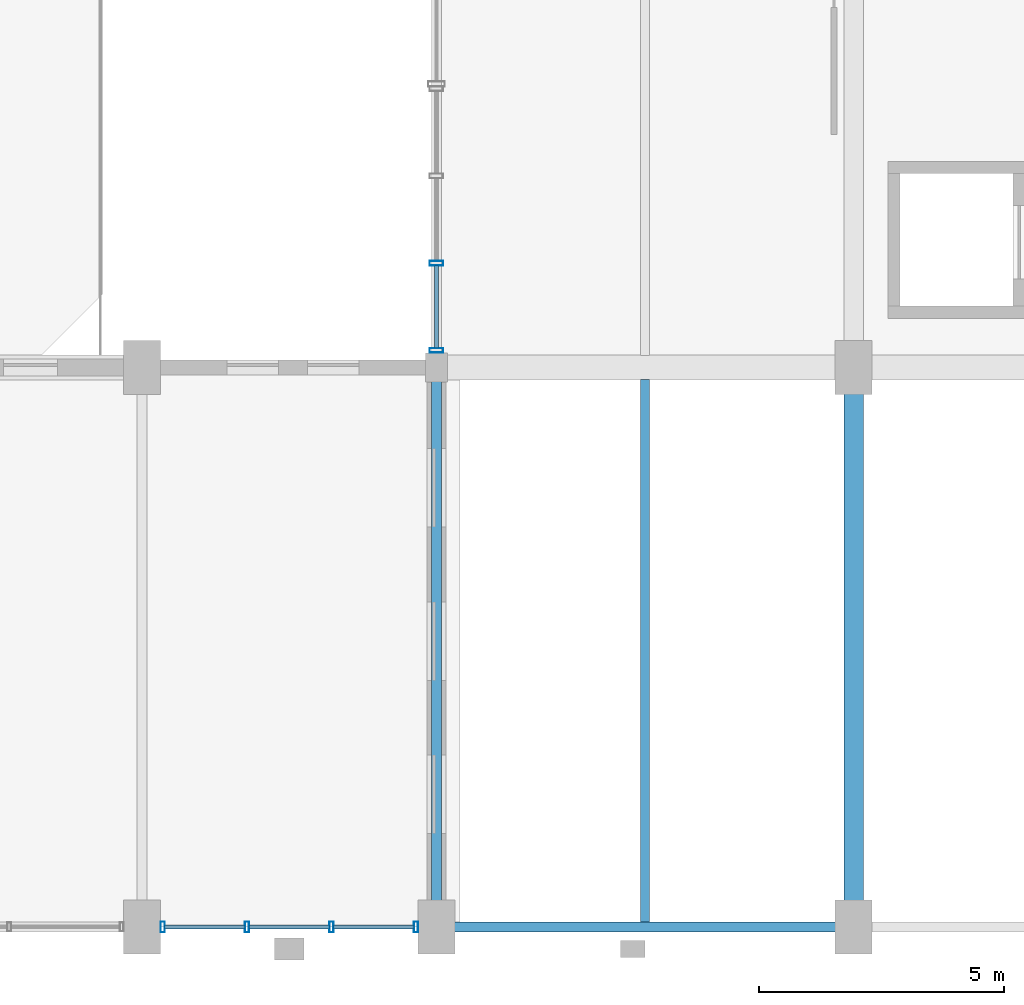
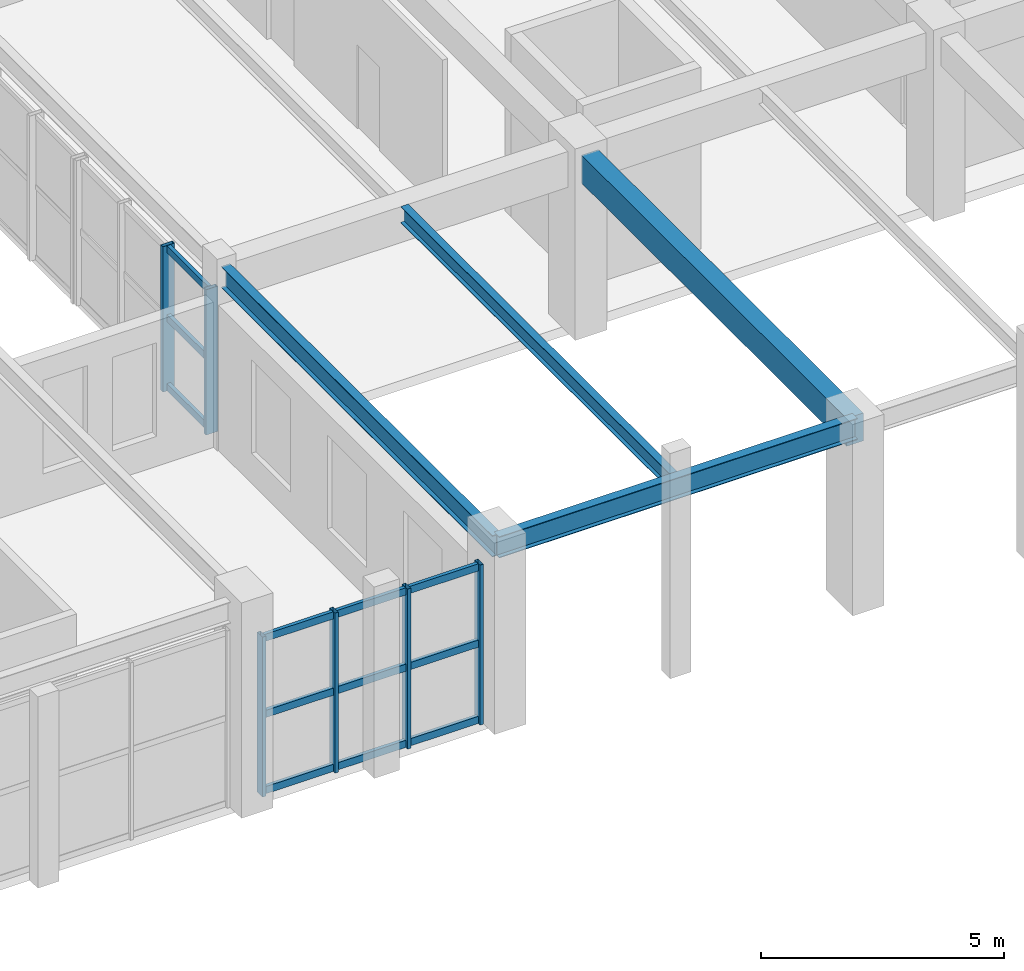
# One storey, part 34 of 106: 18 members, 4 beams, 2 elements without a shape of their own.
"""IFC4 building model written with IfcOpenShell, lengths in metres."""

from ifc_helpers import new_model, si_unit, direction, frame, origin, origin_2d, place, context, subcontext, project, spatial, rectangle, hollow_rectangle, i_section, extrude, material, layer, layer_set, material_profile, profile_set, type_object, element, aggregate, save


model = new_model("IFC4")

# Units and contexts
model_context = context("Model", 3, precision=1e-05, world=origin(), true_north=direction((0.0, 1.0)))
body_context = subcontext(model_context, "Body", "Model", "MODEL_VIEW")
ifc_project = project(units=[si_unit("LENGTHUNIT", "METRE"), si_unit("AREAUNIT", "SQUARE_METRE"), si_unit("VOLUMEUNIT", "CUBIC_METRE"), si_unit("PLANEANGLEUNIT", "RADIAN"), si_unit("MASSUNIT", "GRAM", prefix="KILO"), si_unit("POWERUNIT", "WATT"), si_unit("THERMODYNAMICTEMPERATUREUNIT", "KELVIN")], contexts=[model_context])

# Site, building, storey
site_placement = place(None, origin())
site = spatial("IfcSite", under=ifc_project, at=site_placement, CompositionType="ELEMENT")
building_placement = place(site_placement, origin())
building = spatial("IfcBuilding", under=site, at=building_placement, Name="Kelmbourne Parkland Aquatics Centre", CompositionType="ELEMENT")
storey_placement = place(building_placement, frame((0.0, 0.0, 5.39990234375)))
storey = spatial("IfcBuildingStorey", under=building, at=storey_placement, Name="L01", CompositionType="ELEMENT", Elevation=5.39990234375)

# Beams
ifc_material_1 = material(Name="Concrete C40/50", Category="concrete")
ifc_material_profile_1 = material_profile(ifc_material_1, rectangle(XDim=0.39990234375, YDim=0.699951171875, at=origin_2d()), Name="RC 400x700")
ifc_profile_set_1 = profile_set([ifc_material_profile_1], Name="Concrete C40/50")
beam_type_1 = type_object("IfcBeamType", Name="BM-G05", PredefinedType="BEAM", material=ifc_profile_set_1)
beam_1_placement = place(storey_placement, frame((110.5, 0.800048828125, 4.210205078125), z_axis=(0.0, 1.0, 0.0), x_axis=(-1.0, 0.0, 0.0)))
element("IfcBeam", 1, at=beam_1_placement, inside=storey, type_object=beam_type_1, Name="Primary girder 01-03 Grid N (L02)", PredefinedType="BEAM", context=body_context, shape_type="SweptSolid", body=[
    extrude(rectangle(XDim=0.39990234375, YDim=0.699951171875, at=origin_2d()), origin(), (0.0, 0.0, 1.0), 10.89501953125),
])
ifc_material_2 = material(Name="Structural steel AS/NZS 3679.1 Grade 300", Category="steel")
ifc_material_profile_2 = material_profile(ifc_material_2, i_section(OverallWidth=0.177978515625, OverallDepth=0.406005859375, WebThickness=0.0078125, FlangeThickness=0.0126953125, at=origin_2d()), Name="410UB59.7")
ifc_profile_set_2 = profile_set([ifc_material_profile_2], Name="Structural steel AS/NZS 3679.1 Grade 300")
beam_type_2 = type_object("IfcBeamType", Name="BM-J01", PredefinedType="JOIST", material=ifc_profile_set_2)
beam_2_placement = place(storey_placement, frame((106.25, 0.896484375, 4.357177734375), z_axis=(0.0, 1.0, 0.0), x_axis=(-1.0, 0.0, 0.0)))
element("IfcBeam", 2, at=beam_2_placement, inside=storey, type_object=beam_type_2, Name="Secondary floor joist M-N/01-03 #1 (L02)", PredefinedType="JOIST", context=body_context, shape_type="SweptSolid", body=[
    extrude(i_section(OverallWidth=0.177978515625, OverallDepth=0.406005859375, WebThickness=0.0078125, FlangeThickness=0.0126953125, at=origin_2d()), origin(), (0.0, 0.0, 1.0), 11.0615234375),
])
ifc_material_profile_3 = material_profile(ifc_material_2, i_section(OverallWidth=0.208984375, OverallDepth=0.532958984375, WebThickness=0.01025390625, FlangeThickness=0.015625, at=origin_2d()), Name="530UB92.4")
ifc_profile_set_3 = profile_set([ifc_material_profile_3], Name="Structural steel AS/NZS 3679.1 Grade 300")
beam_type_3 = type_object("IfcBeamType", Name="BM-SP02", PredefinedType="SPANDREL", material=ifc_profile_set_3)
beam_3_placement = place(storey_placement, frame((102.0, 0.800048828125, 4.293701171875), z_axis=(1.0, 0.0, 0.0), x_axis=(0.0, 1.0, 0.0)))
element("IfcBeam", 3, at=beam_3_placement, inside=storey, type_object=beam_type_3, Name="Perimeter spandrel M-N Grid 01 (L02)", PredefinedType="SPANDREL", context=body_context, shape_type="SweptSolid", body=[
    extrude(i_section(OverallWidth=0.208984375, OverallDepth=0.532958984375, WebThickness=0.01025390625, FlangeThickness=0.015625, at=origin_2d()), origin(), (0.0, 0.0, 1.0), 8.5),
])
beam_4_placement = place(storey_placement, frame((102.0, 0.800048828125, 4.293701171875), z_axis=(0.0, 1.0, 0.0), x_axis=(-1.0, 0.0, 0.0)))
element("IfcBeam", 4, at=beam_4_placement, inside=storey, type_object=beam_type_3, Name="Perimeter spandrel 01-03 Grid M (L02)", PredefinedType="SPANDREL", context=body_context, shape_type="SweptSolid", body=[
    extrude(i_section(OverallWidth=0.208984375, OverallDepth=0.532958984375, WebThickness=0.01025390625, FlangeThickness=0.015625, at=origin_2d()), origin(), (0.0, 0.0, 1.0), 11.14501953125),
])

# Curtain wall, members
ifc_material_3 = material(Name="Thermally broken anodised aluminium framing", Category="aluminium")
ifc_layer_1 = layer(ifc_material_3, 0.179931640625)
ifc_layer_set_1 = layer_set([ifc_layer_1], Name="Thermally broken anodised aluminium framing")
curtain_wall_type_1 = type_object("IfcCurtainWallType", Name="CW-23", PredefinedType="NOTDEFINED", material=ifc_layer_set_1)
curtain_wall_1_placement = place(storey_placement, origin())
curtain_wall_1 = element("IfcCurtainWall", 5, at=curtain_wall_1_placement, inside=storey, type_object=curtain_wall_type_1, Name="Facade curtain wall CW-L01-167", PredefinedType="NOTDEFINED")
ifc_material_profile_4 = material_profile(ifc_material_3, hollow_rectangle(XDim=0.0849609375, YDim=0.219970703125, WallThickness=0.0048828125, at=origin_2d()), Name="CW-M 85x220")
ifc_profile_set_4 = profile_set([ifc_material_profile_4], Name="Thermally broken anodised aluminium framing")
member_type_1 = type_object("IfcMemberType", Name="MB-MUL-3", PredefinedType="MULLION", material=ifc_profile_set_4)
member_1_placement = place(storey_placement, frame((96.41943359375, 0.800048828125, 0.0), z_axis=(0.0, 0.0, 1.0), x_axis=(1.0, 0.0, 0.0)))
member_1 = element("IfcMember", 6, at=member_1_placement, type_object=member_type_1, Name="CW-L01-167 mullion 0", PredefinedType="MULLION", context=body_context, shape_type="SweptSolid", body=[
    extrude(hollow_rectangle(XDim=0.0849609375, YDim=0.219970703125, WallThickness=0.0048828125, at=origin_2d()), origin(), (0.0, 0.0, 1.0), 4.01220703125),
])
member_2_placement = place(storey_placement, frame((98.139892578125, 0.800048828125, 0.0), z_axis=(0.0, 0.0, 1.0), x_axis=(1.0, 0.0, 0.0)))
member_2 = element("IfcMember", 7, at=member_2_placement, type_object=member_type_1, Name="CW-L01-167 mullion 1", PredefinedType="MULLION", context=body_context, shape_type="SweptSolid", body=[
    extrude(hollow_rectangle(XDim=0.0849609375, YDim=0.219970703125, WallThickness=0.0048828125, at=origin_2d()), origin(), (0.0, 0.0, 1.0), 4.01220703125),
])
member_3_placement = place(storey_placement, frame((99.860107421875, 0.800048828125, 0.0), z_axis=(0.0, 0.0, 1.0), x_axis=(1.0, 0.0, 0.0)))
member_3 = element("IfcMember", 8, at=member_3_placement, type_object=member_type_1, Name="CW-L01-167 mullion 2", PredefinedType="MULLION", context=body_context, shape_type="SweptSolid", body=[
    extrude(hollow_rectangle(XDim=0.0849609375, YDim=0.219970703125, WallThickness=0.0048828125, at=origin_2d()), origin(), (0.0, 0.0, 1.0), 4.01220703125),
])
member_4_placement = place(storey_placement, frame((101.58056640625, 0.800048828125, 0.0), z_axis=(0.0, 0.0, 1.0), x_axis=(1.0, 0.0, 0.0)))
member_4 = element("IfcMember", 9, at=member_4_placement, type_object=member_type_1, Name="CW-L01-167 mullion 3", PredefinedType="MULLION", context=body_context, shape_type="SweptSolid", body=[
    extrude(hollow_rectangle(XDim=0.0849609375, YDim=0.219970703125, WallThickness=0.0048828125, at=origin_2d()), origin(), (0.0, 0.0, 1.0), 4.01220703125),
])

ifc_layer_2 = layer(ifc_material_3, 0.179931640625)
ifc_layer_set_2 = layer_set([ifc_layer_2], Name="Thermally broken anodised aluminium framing")
curtain_wall_type_2 = type_object("IfcCurtainWallType", Name="CW-20", PredefinedType="NOTDEFINED", material=ifc_layer_set_2)
curtain_wall_2_placement = place(storey_placement, origin())
curtain_wall_2 = element("IfcCurtainWall", 10, at=curtain_wall_2_placement, inside=storey, type_object=curtain_wall_type_2, Name="Facade curtain wall CW-L01-188", PredefinedType="NOTDEFINED")
ifc_material_profile_5 = material_profile(ifc_material_3, hollow_rectangle(XDim=0.094970703125, YDim=0.280029296875, WallThickness=0.005615234375, at=origin_2d()), Name="CW-M 95x280")
ifc_profile_set_5 = profile_set([ifc_material_profile_5], Name="Thermally broken anodised aluminium framing")
member_type_2 = type_object("IfcMemberType", Name="MB-MUL-4", PredefinedType="MULLION", material=ifc_profile_set_5)
member_5_placement = place(storey_placement, frame((102.0, 12.549560546875, 0.0), z_axis=(0.0, 0.0, 1.0), x_axis=(0.0, 1.0, 0.0)))
member_5 = element("IfcMember", 11, at=member_5_placement, type_object=member_type_2, Name="CW-L01-188 mullion 0", PredefinedType="MULLION", context=body_context, shape_type="SweptSolid", body=[
    extrude(hollow_rectangle(XDim=0.094970703125, YDim=0.280029296875, WallThickness=0.005615234375, at=origin_2d()), origin(), (0.0, 0.0, 1.0), 3.64501953125),
])
member_6_placement = place(storey_placement, frame((102.0, 14.325439453125, 0.0), z_axis=(0.0, 0.0, 1.0), x_axis=(0.0, 1.0, 0.0)))
member_6 = element("IfcMember", 12, at=member_6_placement, type_object=member_type_2, Name="CW-L01-188 mullion 1", PredefinedType="MULLION", context=body_context, shape_type="SweptSolid", body=[
    extrude(hollow_rectangle(XDim=0.094970703125, YDim=0.280029296875, WallThickness=0.005615234375, at=origin_2d()), origin(), (0.0, 0.0, 1.0), 3.64501953125),
])

# Member
ifc_material_profile_6 = material_profile(ifc_material_3, hollow_rectangle(XDim=0.0849609375, YDim=0.179931640625, WallThickness=0.00439453125, at=origin_2d()), Name="CW-T 85x180")
ifc_profile_set_6 = profile_set([ifc_material_profile_6], Name="Thermally broken anodised aluminium framing")
member_type_3 = type_object("IfcMemberType", Name="MB-TRN-3", PredefinedType="USERDEFINED", material=ifc_profile_set_6)
member_7_placement = place(storey_placement, frame((96.4580078125, 0.800048828125, 0.093017578125), z_axis=(1.0, 0.0, 0.0), x_axis=(0.0, 1.0, 0.0)))
member_7 = element("IfcMember", 13, at=member_7_placement, type_object=member_type_3, Name="CW-L01-167 transom 0-0", ObjectType="TRANSOM", PredefinedType="USERDEFINED", context=body_context, shape_type="SweptSolid", body=[
    extrude(hollow_rectangle(XDim=0.0849609375, YDim=0.179931640625, WallThickness=0.00439453125, at=origin_2d()), origin(), (0.0, 0.0, 1.0), 1.643310546875),
])

member_8_placement = place(storey_placement, frame((98.17822265625, 0.800048828125, 0.093017578125), z_axis=(1.0, 0.0, 0.0), x_axis=(0.0, 1.0, 0.0)))
member_8 = element("IfcMember", 14, at=member_8_placement, type_object=member_type_3, Name="CW-L01-167 transom 0-1", ObjectType="TRANSOM", PredefinedType="USERDEFINED", context=body_context, shape_type="SweptSolid", body=[
    extrude(hollow_rectangle(XDim=0.0849609375, YDim=0.179931640625, WallThickness=0.00439453125, at=origin_2d()), origin(), (0.0, 0.0, 1.0), 1.6435546875),
])

member_9_placement = place(storey_placement, frame((99.898681640625, 0.800048828125, 0.093017578125), z_axis=(1.0, 0.0, 0.0), x_axis=(0.0, 1.0, 0.0)))
member_9 = element("IfcMember", 15, at=member_9_placement, type_object=member_type_3, Name="CW-L01-167 transom 0-2", ObjectType="TRANSOM", PredefinedType="USERDEFINED", context=body_context, shape_type="SweptSolid", body=[
    extrude(hollow_rectangle(XDim=0.0849609375, YDim=0.179931640625, WallThickness=0.00439453125, at=origin_2d()), origin(), (0.0, 0.0, 1.0), 1.643310546875),
])

member_10_placement = place(storey_placement, frame((96.4580078125, 0.800048828125, 2.006103515625), z_axis=(1.0, 0.0, 0.0), x_axis=(0.0, 1.0, 0.0)))
member_10 = element("IfcMember", 16, at=member_10_placement, type_object=member_type_3, Name="CW-L01-167 transom 1-0", ObjectType="TRANSOM", PredefinedType="USERDEFINED", context=body_context, shape_type="SweptSolid", body=[
    extrude(hollow_rectangle(XDim=0.0849609375, YDim=0.179931640625, WallThickness=0.00439453125, at=origin_2d()), origin(), (0.0, 0.0, 1.0), 1.643310546875),
])

member_11_placement = place(storey_placement, frame((98.17822265625, 0.800048828125, 2.006103515625), z_axis=(1.0, 0.0, 0.0), x_axis=(0.0, 1.0, 0.0)))
member_11 = element("IfcMember", 17, at=member_11_placement, type_object=member_type_3, Name="CW-L01-167 transom 1-1", ObjectType="TRANSOM", PredefinedType="USERDEFINED", context=body_context, shape_type="SweptSolid", body=[
    extrude(hollow_rectangle(XDim=0.0849609375, YDim=0.179931640625, WallThickness=0.00439453125, at=origin_2d()), origin(), (0.0, 0.0, 1.0), 1.6435546875),
])

member_12_placement = place(storey_placement, frame((99.898681640625, 0.800048828125, 2.006103515625), z_axis=(1.0, 0.0, 0.0), x_axis=(0.0, 1.0, 0.0)))
member_12 = element("IfcMember", 18, at=member_12_placement, type_object=member_type_3, Name="CW-L01-167 transom 1-2", ObjectType="TRANSOM", PredefinedType="USERDEFINED", context=body_context, shape_type="SweptSolid", body=[
    extrude(hollow_rectangle(XDim=0.0849609375, YDim=0.179931640625, WallThickness=0.00439453125, at=origin_2d()), origin(), (0.0, 0.0, 1.0), 1.643310546875),
])

member_13_placement = place(storey_placement, frame((96.4580078125, 0.800048828125, 3.919189453125), z_axis=(1.0, 0.0, 0.0), x_axis=(0.0, 1.0, 0.0)))
member_13 = element("IfcMember", 19, at=member_13_placement, type_object=member_type_3, Name="CW-L01-167 transom 2-0", ObjectType="TRANSOM", PredefinedType="USERDEFINED", context=body_context, shape_type="SweptSolid", body=[
    extrude(hollow_rectangle(XDim=0.0849609375, YDim=0.179931640625, WallThickness=0.00439453125, at=origin_2d()), origin(), (0.0, 0.0, 1.0), 1.643310546875),
])

member_14_placement = place(storey_placement, frame((98.17822265625, 0.800048828125, 3.919189453125), z_axis=(1.0, 0.0, 0.0), x_axis=(0.0, 1.0, 0.0)))
member_14 = element("IfcMember", 20, at=member_14_placement, type_object=member_type_3, Name="CW-L01-167 transom 2-1", ObjectType="TRANSOM", PredefinedType="USERDEFINED", context=body_context, shape_type="SweptSolid", body=[
    extrude(hollow_rectangle(XDim=0.0849609375, YDim=0.179931640625, WallThickness=0.00439453125, at=origin_2d()), origin(), (0.0, 0.0, 1.0), 1.6435546875),
])

member_15_placement = place(storey_placement, frame((99.898681640625, 0.800048828125, 3.919189453125), z_axis=(1.0, 0.0, 0.0), x_axis=(0.0, 1.0, 0.0)))
member_15 = element("IfcMember", 21, at=member_15_placement, type_object=member_type_3, Name="CW-L01-167 transom 2-2", ObjectType="TRANSOM", PredefinedType="USERDEFINED", context=body_context, shape_type="SweptSolid", body=[
    extrude(hollow_rectangle(XDim=0.0849609375, YDim=0.179931640625, WallThickness=0.00439453125, at=origin_2d()), origin(), (0.0, 0.0, 1.0), 1.643310546875),
])

aggregate(curtain_wall_1, [member_1, member_2, member_3, member_4, member_7, member_8, member_9, member_10, member_11, member_12, member_13, member_14, member_15])

member_16_placement = place(storey_placement, frame((102.0, 12.593017578125, 0.093017578125), z_axis=(0.0, 1.0, 0.0), x_axis=(-1.0, 0.0, 0.0)))
member_16 = element("IfcMember", 22, at=member_16_placement, type_object=member_type_3, Name="CW-L01-188 transom 0-0", ObjectType="TRANSOM", PredefinedType="USERDEFINED", context=body_context, shape_type="SweptSolid", body=[
    extrude(hollow_rectangle(XDim=0.0849609375, YDim=0.179931640625, WallThickness=0.00439453125, at=origin_2d()), origin(), (0.0, 0.0, 1.0), 1.68896484375),
])

member_17_placement = place(storey_placement, frame((102.0, 12.593017578125, 1.822509765625), z_axis=(0.0, 1.0, 0.0), x_axis=(-1.0, 0.0, 0.0)))
member_17 = element("IfcMember", 23, at=member_17_placement, type_object=member_type_3, Name="CW-L01-188 transom 1-0", ObjectType="TRANSOM", PredefinedType="USERDEFINED", context=body_context, shape_type="SweptSolid", body=[
    extrude(hollow_rectangle(XDim=0.0849609375, YDim=0.179931640625, WallThickness=0.00439453125, at=origin_2d()), origin(), (0.0, 0.0, 1.0), 1.68896484375),
])

member_18_placement = place(storey_placement, frame((102.0, 12.593017578125, 3.552001953125), z_axis=(0.0, 1.0, 0.0), x_axis=(-1.0, 0.0, 0.0)))
member_18 = element("IfcMember", 24, at=member_18_placement, type_object=member_type_3, Name="CW-L01-188 transom 2-0", ObjectType="TRANSOM", PredefinedType="USERDEFINED", context=body_context, shape_type="SweptSolid", body=[
    extrude(hollow_rectangle(XDim=0.0849609375, YDim=0.179931640625, WallThickness=0.00439453125, at=origin_2d()), origin(), (0.0, 0.0, 1.0), 1.68896484375),
])

aggregate(curtain_wall_2, [member_5, member_6, member_16, member_17, member_18])

save(model, "model.ifc")
